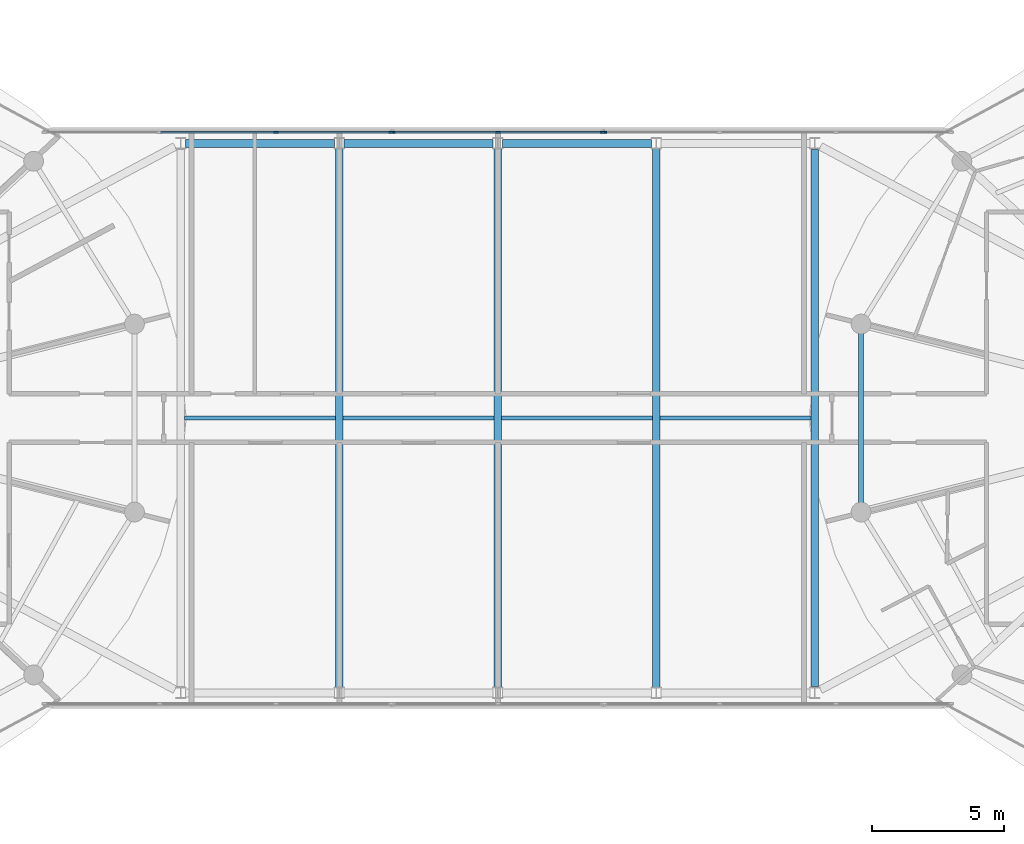
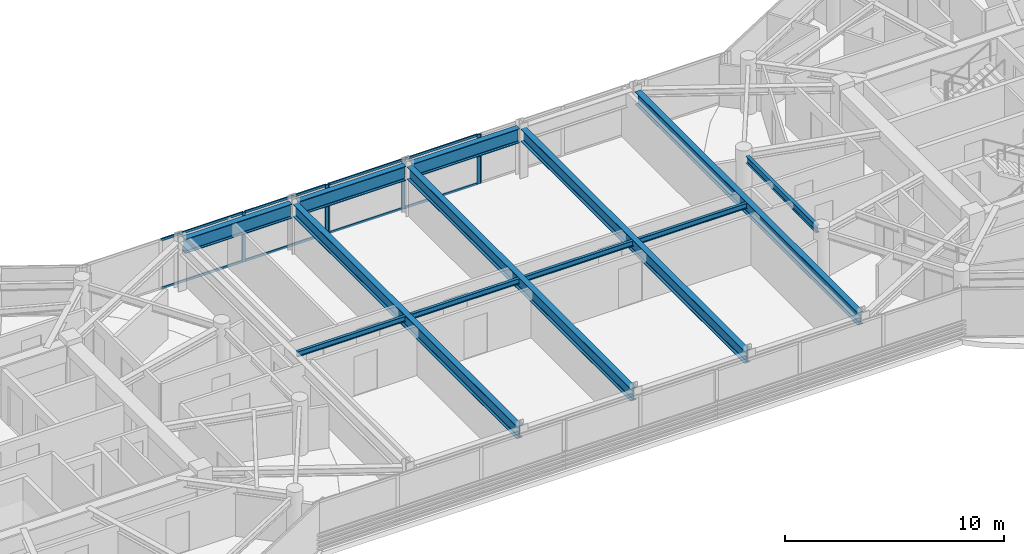
# One storey, part 7 of 23: 14 members, 12 beams, 3 elements without a shape of their own.
"""IFC4 building model written with IfcOpenShell, lengths in metres."""

from ifc_helpers import new_model, si_unit, direction, frame, origin, origin_2d, place, context, subcontext, project, spatial, rectangle, i_section, extrude, source, transform, mapped, material, layer, layer_set, material_profile, profile_set, type_object, type_shapes, element, aggregate, save


model = new_model("IFC4")

# Units and contexts
model_context = context("Model", 3, precision=1e-05, world=origin(), true_north=direction((0.0, 1.0)))
body_context = subcontext(model_context, "Body", "Model", "MODEL_VIEW")
ifc_project = project(units=[si_unit("LENGTHUNIT", "METRE"), si_unit("AREAUNIT", "SQUARE_METRE"), si_unit("VOLUMEUNIT", "CUBIC_METRE"), si_unit("PLANEANGLEUNIT", "RADIAN"), si_unit("MASSUNIT", "GRAM", prefix="KILO")], contexts=[model_context])

# Site, building, storey
site_placement = place(None, origin())
site = spatial("IfcSite", under=ifc_project, at=site_placement, CompositionType="ELEMENT")
building_placement = place(site_placement, origin())
building = spatial("IfcBuilding", under=site, at=building_placement, Name="Norrkilde Senior Care Towers", CompositionType="ELEMENT")
storey_placement = place(building_placement, frame((0.0, 0.0, 220.0)))
storey = spatial("IfcBuildingStorey", under=building, at=storey_placement, Name="L68", CompositionType="ELEMENT", Elevation=220.0)

# Beams
ifc_material_1 = material(Name="Steel S355", Category="steel")
ifc_material_profile_1 = material_profile(ifc_material_1, i_section(OverallWidth=0.179931640625, OverallDepth=0.39990234375, WebThickness=0.008544921875, FlangeThickness=0.013427734375, FilletRadius=0.02099609375, at=origin_2d()), Name="IPE 400")
ifc_profile_set_1 = profile_set([ifc_material_profile_1], Name="Steel S355")
beam_type_1 = type_object("IfcBeamType", Name="Perimeter Ring Spandrel Z4 IPE400", PredefinedType="SPANDREL", material=ifc_profile_set_1)
shared_shape_1 = source(origin(), body_context, "Body", "SweptSolid", [
    extrude(i_section(OverallWidth=0.179931640625, OverallDepth=0.39990234375, WebThickness=0.008544921875, FlangeThickness=0.013427734375, FilletRadius=0.02099609375, at=origin_2d()), origin(), (0.0, 0.0, 1.0), 6.44775390625),
])
type_shapes(beam_type_1, [shared_shape_1])
beam_1_placement = place(storey_placement, frame((13.752685546875, 3.223876953125, 2.56005859375), z_axis=(0.0, -1.0, 0.0), x_axis=(1.0, 0.0, 0.0)))
element("IfcBeam", 1, at=beam_1_placement, inside=storey, type_object=beam_type_1, Name="L68 Drum E Perimeter Spandrel 06", PredefinedType="SPANDREL", context=body_context, shape_type="MappedRepresentation", body=[
    mapped(shared_shape_1, transform((0.0, 0.0, 0.0), x_axis=(1.0, 0.0, 0.0), y_axis=(0.0, 1.0, 0.0), z_axis=(0.0, 0.0, 1.0), scale=1.0)),
])
ifc_material_profile_2 = material_profile(ifc_material_1, i_section(OverallWidth=0.300048828125, OverallDepth=0.699951171875, WebThickness=0.01708984375, FlangeThickness=0.031982421875, FilletRadius=0.027099609375, at=origin_2d()), Name="HEB 700")
ifc_profile_set_2 = profile_set([ifc_material_profile_2], Name="Steel S355")
beam_type_2 = type_object("IfcBeamType", Name="Bridge Cross Girder HEB700", PredefinedType="USERDEFINED", material=ifc_profile_set_2)
shared_shape_2 = source(origin(), body_context, "Body", "SweptSolid", [
    extrude(i_section(OverallWidth=0.300048828125, OverallDepth=0.699951171875, WebThickness=0.01708984375, FlangeThickness=0.031982421875, FilletRadius=0.027099609375, at=origin_2d()), origin(), (0.0, 0.0, 1.0), 20.31982421875),
])
beam_2_placement = place(storey_placement, frame((12.0, -10.159912109375, 2.409912109375), z_axis=(0.0, 1.0, 0.0), x_axis=(-1.0, 0.0, 0.0)))
element("IfcBeam", 2, at=beam_2_placement, inside=storey, type_object=beam_type_2, Name="L68 Sky-Gate Bridge Cross Girder +12", ObjectType="GIRDER", PredefinedType="USERDEFINED", context=body_context, shape_type="MappedRepresentation", body=[
    mapped(shared_shape_2, transform((0.0, 0.0, 0.0), x_axis=(1.0, 0.0, 0.0), y_axis=(0.0, 1.0, 0.0), z_axis=(0.0, 0.0, 1.0), scale=1.0)),
])
shared_shape_3 = source(origin(), body_context, "Body", "SweptSolid", [
    extrude(i_section(OverallWidth=0.300048828125, OverallDepth=0.699951171875, WebThickness=0.01708984375, FlangeThickness=0.031982421875, FilletRadius=0.027099609375, at=origin_2d()), origin(), (0.0, 0.0, 1.0), 20.43994140625),
])
type_shapes(beam_type_2, [shared_shape_2, shared_shape_3])
for number, where, z_axis, x_axis, name in (
    (3, (-6.0, -10.219970703125, 2.409912109375), (0.0, 1.0, 0.0), (-1.0, 0.0, 0.0), "L68 Sky-Gate Bridge Cross Girder -6"),
    (4, (0.0, -10.219970703125, 2.409912109375), (0.0, 1.0, 0.0), (-1.0, 0.0, 0.0), "L68 Sky-Gate Bridge Cross Girder +0"),
    (5, (6.0, -10.219970703125, 2.409912109375), (0.0, 1.0, 0.0), (-1.0, 0.0, 0.0), "L68 Sky-Gate Bridge Cross Girder +6"),
):
    element("IfcBeam", number, at=place(storey_placement, frame(where, z_axis=z_axis, x_axis=x_axis)), inside=storey, type_object=beam_type_2, Name=name, ObjectType="GIRDER", PredefinedType="USERDEFINED", context=body_context, shape_type="MappedRepresentation", body=[
        mapped(shared_shape_3, transform((0.0, 0.0, 0.0), x_axis=(1.0, 0.0, 0.0), y_axis=(0.0, 1.0, 0.0), z_axis=(0.0, 0.0, 1.0), scale=1.0)),
    ])
ifc_material_profile_3 = material_profile(ifc_material_1, i_section(OverallWidth=0.300048828125, OverallDepth=0.800048828125, WebThickness=0.017578125, FlangeThickness=0.032958984375, FilletRadius=0.030029296875, at=origin_2d()), Name="HEB 800")
ifc_profile_set_3 = profile_set([ifc_material_profile_3], Name="Steel S355")
beam_type_3 = type_object("IfcBeamType", Name="Bridge Floor Girder HEB800", PredefinedType="USERDEFINED", material=ifc_profile_set_3)
shared_shape_4 = source(origin(), body_context, "Body", "SweptSolid", [
    extrude(i_section(OverallWidth=0.300048828125, OverallDepth=0.800048828125, WebThickness=0.017578125, FlangeThickness=0.032958984375, FilletRadius=0.030029296875, at=origin_2d()), origin(), (0.0, 0.0, 1.0), 5.64013671875),
])
type_shapes(beam_type_3, [shared_shape_4])
for number, where, z_axis, x_axis, name in (
    (6, (-11.820068359375, 10.39990234375, 2.360107421875), (1.0, 0.0, 0.0), (0.0, 1.0, 0.0), "L68 Sky-Gate Bridge Girder N2"),
    (7, (-5.820068359375, 10.39990234375, 2.360107421875), (1.0, 0.0, 0.0), (0.0, 1.0, 0.0), "L68 Sky-Gate Bridge Girder N3"),
    (8, (0.179931640625, 10.39990234375, 2.360107421875), (1.0, 0.0, 0.0), (0.0, 1.0, 0.0), "L68 Sky-Gate Bridge Girder N4"),
):
    element("IfcBeam", number, at=place(storey_placement, frame(where, z_axis=z_axis, x_axis=x_axis)), inside=storey, type_object=beam_type_3, Name=name, ObjectType="GIRDER", PredefinedType="USERDEFINED", context=body_context, shape_type="MappedRepresentation", body=[
        mapped(shared_shape_4, transform((0.0, 0.0, 0.0), x_axis=(1.0, 0.0, 0.0), y_axis=(0.0, 1.0, 0.0), z_axis=(0.0, 0.0, 1.0), scale=1.0)),
    ])
ifc_material_profile_4 = material_profile(ifc_material_1, i_section(OverallWidth=0.14990234375, OverallDepth=0.300048828125, WebThickness=0.007080078125, FlangeThickness=0.0107421875, FilletRadius=0.014892578125, at=origin_2d()), Name="IPE 300")
ifc_profile_set_4 = profile_set([ifc_material_profile_4], Name="Steel S355")
beam_type_4 = type_object("IfcBeamType", Name="Bridge Deck Joist IPE300", PredefinedType="JOIST", material=ifc_profile_set_4)
shared_shape_5 = source(origin(), body_context, "Body", "SweptSolid", [
    extrude(i_section(OverallWidth=0.14990234375, OverallDepth=0.300048828125, WebThickness=0.007080078125, FlangeThickness=0.0107421875, FilletRadius=0.014892578125, at=origin_2d()), origin(), (0.0, 0.0, 1.0), 5.7099609375),
])
type_shapes(beam_type_4, [shared_shape_5])
for number, where, z_axis, x_axis, name in (
    (9, (-11.85498046875, 0.0, 2.610107421875), (1.0, 0.0, 0.0), (0.0, 1.0, 0.0), "L68 Bridge Deck Joist 1"),
    (10, (-5.85498046875, 0.0, 2.610107421875), (1.0, 0.0, 0.0), (0.0, 1.0, 0.0), "L68 Bridge Deck Joist 2"),
    (11, (0.14501953125, 0.0, 2.610107421875), (1.0, 0.0, 0.0), (0.0, 1.0, 0.0), "L68 Bridge Deck Joist 3"),
    (12, (6.14501953125, 0.0, 2.610107421875), (1.0, 0.0, 0.0), (0.0, 1.0, 0.0), "L68 Bridge Deck Joist 4"),
):
    element("IfcBeam", number, at=place(storey_placement, frame(where, z_axis=z_axis, x_axis=x_axis)), inside=storey, type_object=beam_type_4, Name=name, PredefinedType="JOIST", context=body_context, shape_type="MappedRepresentation", body=[
        mapped(shared_shape_5, transform((0.0, 0.0, 0.0), x_axis=(1.0, 0.0, 0.0), y_axis=(0.0, 1.0, 0.0), z_axis=(0.0, 0.0, 1.0), scale=1.0)),
    ])

# Curtain wall, members
ifc_material_2 = material(Name="Triple Low-E Insulated Glazing", Category="glass")
ifc_layer = layer(ifc_material_2, 0.2099609375)
ifc_layer_set = layer_set([ifc_layer], Name="Triple Low-E Insulated Glazing")
curtain_wall_type = type_object("IfcCurtainWallType", Name="CW5 Sky-Gate Bridge Curtain Wall", PredefinedType="NOTDEFINED", material=ifc_layer_set)
curtain_wall_1_placement = place(storey_placement, origin())
curtain_wall_1 = element("IfcCurtainWall", 13, at=curtain_wall_1_placement, inside=storey, type_object=curtain_wall_type, Name="L68 Sky-Gate Bridge North Curtain Wall 1", PredefinedType="NOTDEFINED")
ifc_material_3 = material(Name="Anodised Aluminium", Category="aluminium")
ifc_material_profile_5 = material_profile(ifc_material_3, rectangle(XDim=0.06494140625, YDim=0.1298828125, at=origin_2d()), Name="ALU TRAN 65x130")
ifc_profile_set_5 = profile_set([ifc_material_profile_5], Name="Anodised Aluminium")
member_type_1 = type_object("IfcMemberType", Name="Curtain Wall Transom Heavy 65x130", PredefinedType="USERDEFINED", material=ifc_profile_set_5)
shared_shape_6 = source(origin(), body_context, "Body", "SweptSolid", [
    extrude(rectangle(XDim=0.06494140625, YDim=0.1298828125, at=origin_2d()), origin(), (0.0, 0.0, 1.0), 4.294921875),
])
member_1_placement = place(storey_placement, frame((-8.364990234375, 10.820068359375, 0.032470703125), z_axis=(1.0, 0.0, 0.0), x_axis=(0.0, 1.0, 0.0)))
member_1 = element("IfcMember", 14, at=member_1_placement, type_object=member_type_1, Name="CW-5 transom 3.1", ObjectType="TRANSOM", PredefinedType="USERDEFINED", context=body_context, shape_type="MappedRepresentation", body=[
    mapped(shared_shape_6, transform((0.0, 0.0, 0.0), x_axis=(1.0, 0.0, 0.0), y_axis=(0.0, 1.0, 0.0), z_axis=(0.0, 0.0, 1.0), scale=1.0)),
])
member_2_placement = place(storey_placement, frame((-8.364990234375, 10.820068359375, 2.7275390625), z_axis=(1.0, 0.0, 0.0), x_axis=(0.0, 1.0, 0.0)))
member_2 = element("IfcMember", 15, at=member_2_placement, type_object=member_type_1, Name="CW-5 transom 3.2", ObjectType="TRANSOM", PredefinedType="USERDEFINED", context=body_context, shape_type="MappedRepresentation", body=[
    mapped(shared_shape_6, transform((0.0, 0.0, 0.0), x_axis=(1.0, 0.0, 0.0), y_axis=(0.0, 1.0, 0.0), z_axis=(0.0, 0.0, 1.0), scale=1.0)),
])
shared_shape_7 = source(origin(), body_context, "Body", "SweptSolid", [
    extrude(rectangle(XDim=0.06494140625, YDim=0.1298828125, at=origin_2d()), origin(), (0.0, 0.0, 1.0), 4.329833984375),
])
member_3_placement = place(storey_placement, frame((-12.764892578125, 10.820068359375, 0.032470703125), z_axis=(1.0, 0.0, 0.0), x_axis=(0.0, 1.0, 0.0)))
member_3 = element("IfcMember", 16, at=member_3_placement, type_object=member_type_1, Name="CW-5 transom 2.1", ObjectType="TRANSOM", PredefinedType="USERDEFINED", context=body_context, shape_type="MappedRepresentation", body=[
    mapped(shared_shape_7, transform((0.0, 0.0, 0.0), x_axis=(1.0, 0.0, 0.0), y_axis=(0.0, 1.0, 0.0), z_axis=(0.0, 0.0, 1.0), scale=1.0)),
])
member_4_placement = place(storey_placement, frame((-12.764892578125, 10.820068359375, 2.7275390625), z_axis=(1.0, 0.0, 0.0), x_axis=(0.0, 1.0, 0.0)))
member_4 = element("IfcMember", 17, at=member_4_placement, type_object=member_type_1, Name="CW-5 transom 2.2", ObjectType="TRANSOM", PredefinedType="USERDEFINED", context=body_context, shape_type="MappedRepresentation", body=[
    mapped(shared_shape_7, transform((0.0, 0.0, 0.0), x_axis=(1.0, 0.0, 0.0), y_axis=(0.0, 1.0, 0.0), z_axis=(0.0, 0.0, 1.0), scale=1.0)),
])

curtain_wall_2_placement = place(storey_placement, origin())
curtain_wall_2 = element("IfcCurtainWall", 18, at=curtain_wall_2_placement, inside=storey, type_object=curtain_wall_type, Name="L68 Sky-Gate Bridge North Curtain Wall 2", PredefinedType="NOTDEFINED")
shared_shape_8 = source(origin(), body_context, "Body", "SweptSolid", [
    extrude(rectangle(XDim=0.06494140625, YDim=0.1298828125, at=origin_2d()), origin(), (0.0, 0.0, 1.0), 3.89501953125),
])
type_shapes(member_type_1, [shared_shape_6, shared_shape_7, shared_shape_8])
member_5_placement = place(storey_placement, frame((-3.929931640625, 10.820068359375, 0.032470703125), z_axis=(1.0, 0.0, 0.0), x_axis=(0.0, 1.0, 0.0)))
member_5 = element("IfcMember", 19, at=member_5_placement, type_object=member_type_1, Name="CW-5 transom 1.1", ObjectType="TRANSOM", PredefinedType="USERDEFINED", context=body_context, shape_type="MappedRepresentation", body=[
    mapped(shared_shape_8, transform((0.0, 0.0, 0.0), x_axis=(1.0, 0.0, 0.0), y_axis=(0.0, 1.0, 0.0), z_axis=(0.0, 0.0, 1.0), scale=1.0)),
])
member_6_placement = place(storey_placement, frame((-3.929931640625, 10.820068359375, 2.7275390625), z_axis=(1.0, 0.0, 0.0), x_axis=(0.0, 1.0, 0.0)))
member_6 = element("IfcMember", 20, at=member_6_placement, type_object=member_type_1, Name="CW-5 transom 1.2", ObjectType="TRANSOM", PredefinedType="USERDEFINED", context=body_context, shape_type="MappedRepresentation", body=[
    mapped(shared_shape_8, transform((0.0, 0.0, 0.0), x_axis=(1.0, 0.0, 0.0), y_axis=(0.0, 1.0, 0.0), z_axis=(0.0, 0.0, 1.0), scale=1.0)),
])
member_7_placement = place(storey_placement, frame((0.034912109375, 10.820068359375, 0.032470703125), z_axis=(1.0, 0.0, 0.0), x_axis=(0.0, 1.0, 0.0)))
member_7 = element("IfcMember", 21, at=member_7_placement, type_object=member_type_1, Name="CW-5 transom 2.1", ObjectType="TRANSOM", PredefinedType="USERDEFINED", context=body_context, shape_type="MappedRepresentation", body=[
    mapped(shared_shape_8, transform((0.0, 0.0, 0.0), x_axis=(1.0, 0.0, 0.0), y_axis=(0.0, 1.0, 0.0), z_axis=(0.0, 0.0, 1.0), scale=1.0)),
])
member_8_placement = place(storey_placement, frame((0.034912109375, 10.820068359375, 2.7275390625), z_axis=(1.0, 0.0, 0.0), x_axis=(0.0, 1.0, 0.0)))
member_8 = element("IfcMember", 22, at=member_8_placement, type_object=member_type_1, Name="CW-5 transom 2.2", ObjectType="TRANSOM", PredefinedType="USERDEFINED", context=body_context, shape_type="MappedRepresentation", body=[
    mapped(shared_shape_8, transform((0.0, 0.0, 0.0), x_axis=(1.0, 0.0, 0.0), y_axis=(0.0, 1.0, 0.0), z_axis=(0.0, 0.0, 1.0), scale=1.0)),
])

# Member
ifc_material_profile_6 = material_profile(ifc_material_3, rectangle(XDim=0.070068359375, YDim=0.169921875, at=origin_2d()), Name="ALU MULL 70x170")
ifc_profile_set_6 = profile_set([ifc_material_profile_6], Name="Anodised Aluminium")
member_type_2 = type_object("IfcMemberType", Name="Curtain Wall Mullion Heavy 70x170", PredefinedType="MULLION", material=ifc_profile_set_6)
shared_shape_9 = source(origin(), body_context, "Body", "SweptSolid", [
    extrude(rectangle(XDim=0.070068359375, YDim=0.169921875, at=origin_2d()), origin(), (0.0, 0.0, 1.0), 2.760009765625),
])
type_shapes(member_type_2, [shared_shape_9])
member_9_placement = place(storey_placement, frame((-8.39990234375, 10.820068359375, 0.0), z_axis=(0.0, 0.0, 1.0), x_axis=(0.0, 1.0, 0.0)))
member_9 = element("IfcMember", 23, at=member_9_placement, type_object=member_type_2, Name="CW-5 mullion 3", PredefinedType="MULLION", context=body_context, shape_type="MappedRepresentation", body=[
    mapped(shared_shape_9, transform((0.0, 0.0, 0.0), x_axis=(1.0, 0.0, 0.0), y_axis=(0.0, 1.0, 0.0), z_axis=(0.0, 0.0, 1.0), scale=1.0)),
])

member_10_placement = place(storey_placement, frame((-4.034912109375, 10.820068359375, 0.0), z_axis=(0.0, 0.0, 1.0), x_axis=(0.0, 1.0, 0.0)))
member_10 = element("IfcMember", 24, at=member_10_placement, type_object=member_type_2, Name="CW-5 mullion 4", PredefinedType="MULLION", context=body_context, shape_type="MappedRepresentation", body=[
    mapped(shared_shape_9, transform((0.0, 0.0, 0.0), x_axis=(1.0, 0.0, 0.0), y_axis=(0.0, 1.0, 0.0), z_axis=(0.0, 0.0, 1.0), scale=1.0)),
])

aggregate(curtain_wall_1, [member_9, member_10, member_3, member_4, member_1, member_2])

member_11_placement = place(storey_placement, frame((-3.965087890625, 10.820068359375, 0.0), z_axis=(0.0, 0.0, 1.0), x_axis=(0.0, 1.0, 0.0)))
member_11 = element("IfcMember", 25, at=member_11_placement, type_object=member_type_2, Name="CW-5 mullion 1", PredefinedType="MULLION", context=body_context, shape_type="MappedRepresentation", body=[
    mapped(shared_shape_9, transform((0.0, 0.0, 0.0), x_axis=(1.0, 0.0, 0.0), y_axis=(0.0, 1.0, 0.0), z_axis=(0.0, 0.0, 1.0), scale=1.0)),
])

member_12_placement = place(storey_placement, frame((0.0, 10.820068359375, 0.0), z_axis=(0.0, 0.0, 1.0), x_axis=(0.0, 1.0, 0.0)))
member_12 = element("IfcMember", 26, at=member_12_placement, type_object=member_type_2, Name="CW-5 mullion 2", PredefinedType="MULLION", context=body_context, shape_type="MappedRepresentation", body=[
    mapped(shared_shape_9, transform((0.0, 0.0, 0.0), x_axis=(1.0, 0.0, 0.0), y_axis=(0.0, 1.0, 0.0), z_axis=(0.0, 0.0, 1.0), scale=1.0)),
])

member_13_placement = place(storey_placement, frame((3.965087890625, 10.820068359375, 0.0), z_axis=(0.0, 0.0, 1.0), x_axis=(0.0, 1.0, 0.0)))
member_13 = element("IfcMember", 27, at=member_13_placement, type_object=member_type_2, Name="CW-5 mullion 3", PredefinedType="MULLION", context=body_context, shape_type="MappedRepresentation", body=[
    mapped(shared_shape_9, transform((0.0, 0.0, 0.0), x_axis=(1.0, 0.0, 0.0), y_axis=(0.0, 1.0, 0.0), z_axis=(0.0, 0.0, 1.0), scale=1.0)),
])

aggregate(curtain_wall_2, [member_11, member_12, member_13, member_5, member_6, member_7, member_8])

# Curtain wall, member
curtain_wall_3_placement = place(storey_placement, origin())
curtain_wall_3 = element("IfcCurtainWall", 28, at=curtain_wall_3_placement, inside=storey, type_object=curtain_wall_type, Name="L68 Sky-Gate Bridge North Curtain Wall 3", PredefinedType="NOTDEFINED")
member_14_placement = place(storey_placement, frame((4.034912109375, 10.820068359375, 0.0), z_axis=(0.0, 0.0, 1.0), x_axis=(0.0, 1.0, 0.0)))
member_14 = element("IfcMember", 29, at=member_14_placement, type_object=member_type_2, Name="CW-5 mullion 1", PredefinedType="MULLION", context=body_context, shape_type="MappedRepresentation", body=[
    mapped(shared_shape_9, transform((0.0, 0.0, 0.0), x_axis=(1.0, 0.0, 0.0), y_axis=(0.0, 1.0, 0.0), z_axis=(0.0, 0.0, 1.0), scale=1.0)),
])
aggregate(curtain_wall_3, [member_14])

save(model, "model.ifc")
